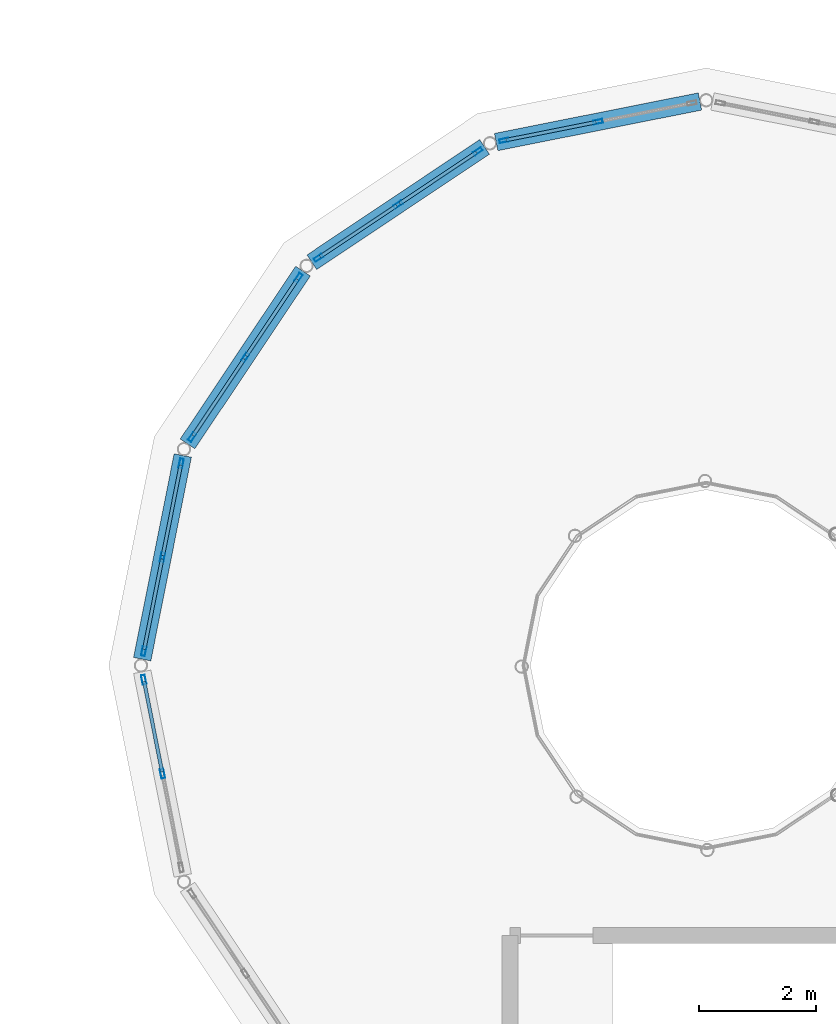
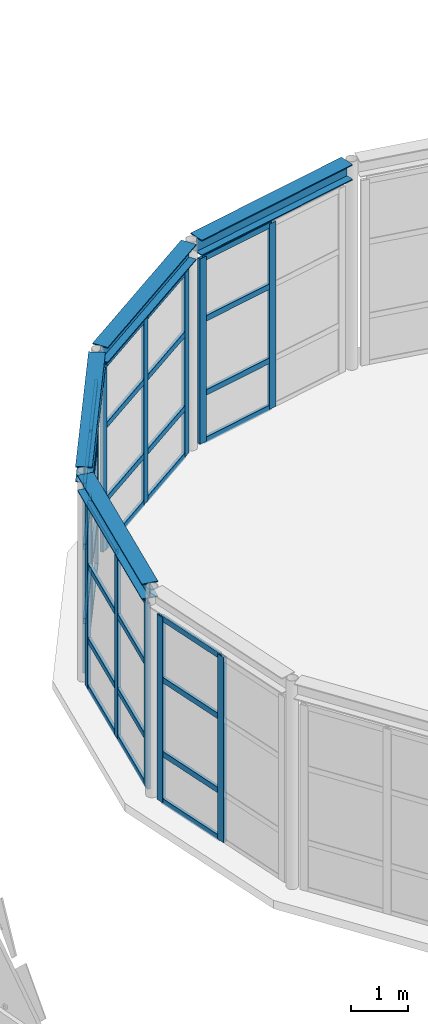
# One storey, part 28 of 80: 45 members, 4 beams, 5 elements without a shape of their own.
"""IFC4 building model written with IfcOpenShell, lengths in metres."""

from ifc_helpers import new_model, si_unit, direction, frame, origin, origin_2d, place, context, subcontext, project, spatial, hollow_rectangle, i_section, extrude, material, layer, layer_set, material_profile, profile_set, type_object, element, aggregate, save


model = new_model("IFC4")

# Units and contexts
model_context = context("Model", 3, precision=1e-05, world=origin(), true_north=direction((0.0, 1.0)))
body_context = subcontext(model_context, "Body", "Model", "MODEL_VIEW")
ifc_project = project(units=[si_unit("LENGTHUNIT", "METRE"), si_unit("AREAUNIT", "SQUARE_METRE"), si_unit("VOLUMEUNIT", "CUBIC_METRE"), si_unit("PLANEANGLEUNIT", "RADIAN"), si_unit("MASSUNIT", "GRAM", prefix="KILO")], contexts=[model_context])

# Site, building, storey
site_placement = place(None, origin())
site = spatial("IfcSite", under=ifc_project, at=site_placement, CompositionType="ELEMENT")
building_placement = place(site_placement, origin())
building = spatial("IfcBuilding", under=site, at=building_placement, Name="Kharisveld Research Institute", CompositionType="ELEMENT")
storey_placement = place(building_placement, frame((0.0, 0.0, 5.10009765625)))
storey = spatial("IfcBuildingStorey", under=building, at=storey_placement, Name="L01", CompositionType="ELEMENT", Elevation=5.10009765625)

# Beams
ifc_material_1 = material(Name="Steel S355JR", Category="steel")
ifc_material_profile_1 = material_profile(ifc_material_1, i_section(OverallWidth=0.300048828125, OverallDepth=0.340087890625, WebThickness=0.011962890625, FlangeThickness=0.021484375, at=origin_2d()))
ifc_profile_set_1 = profile_set([ifc_material_profile_1], Name="Steel S355JR")
beam_type = type_object("IfcBeamType", Name="BM_ST_HEA300", PredefinedType="BEAM", material=ifc_profile_set_1)
for number, where, z_axis, x_axis, name in (
    (1, (59.392578125, 60.4287109375, 4.329833984375), (-0.980781401852, -0.195109819798, 0.0), (0.195109819798, -0.980781401852, 0.0), "BM:V6:L01:RING04"),
    (2, (55.716064453125, 59.654541015625, 4.329833984375), (-0.831456681365, -0.555589585047, 0.0), (0.555589585047, -0.831456681365, 0.0), "BM:V6:L01:RING05"),
    (3, (52.615478515625, 57.532470703125, 4.329833984375), (-0.555541987483, -0.831488484673, 0.0), (0.831488484673, -0.555541987483, 0.0), "BM:V6:L01:RING06"),
    (4, (50.563232421875, 54.385498046875, 4.329833984375), (-0.195109819798, -0.980781401852, 0.0), (0.980781401852, -0.195109819798, 0.0), "BM:V6:L01:RING07"),
):
    element("IfcBeam", number, at=place(storey_placement, frame(where, z_axis=z_axis, x_axis=x_axis)), inside=storey, type_object=beam_type, Name=name, PredefinedType="BEAM", context=body_context, shape_type="SweptSolid", body=[
        extrude(i_section(OverallWidth=0.300048828125, OverallDepth=0.340087890625, WebThickness=0.011962890625, FlangeThickness=0.021484375, at=origin_2d()), origin(), (0.0, 0.0, 1.0), 3.546142578125),
    ])

# Curtain wall, members
ifc_material_2 = material(Name="Thermally Broken Aluminium Curtain Wall", Category="aluminium")
ifc_layer_1 = layer(ifc_material_2, 0.159912109375)
ifc_layer_set_1 = layer_set([ifc_layer_1], Name="CW_SYS_05")
curtain_wall_type_1 = type_object("IfcCurtainWallType", Name="CW_SYS_05", PredefinedType="NOTDEFINED", material=ifc_layer_set_1)
curtain_wall_1_placement = place(storey_placement, origin())
curtain_wall_1 = element("IfcCurtainWall", 5, at=curtain_wall_1_placement, inside=storey, type_object=curtain_wall_type_1, Name="CW:V6:L01:CHORD04", PredefinedType="NOTDEFINED")
ifc_material_3 = material(Name="Anodised Aluminium AW-6063-T6", Category="aluminium")
ifc_material_profile_2 = material_profile(ifc_material_3, hollow_rectangle(XDim=0.06494140625, YDim=0.159912109375, WallThickness=0.00390625, at=origin_2d()))
ifc_profile_set_2 = profile_set([ifc_material_profile_2], Name="Anodised Aluminium AW-6063-T6")
member_type_1 = type_object("IfcMemberType", Name="CW_MUL_160", PredefinedType="MULLION", material=ifc_profile_set_2)
member_1_placement = place(storey_placement, frame((56.0498046875, 59.763671875, 0.0), z_axis=(0.0, 0.0, 1.0), x_axis=(-0.195090730724, 0.980785199106, 0.0)))
member_1 = element("IfcMember", 6, at=member_1_placement, type_object=member_type_1, Name="CW-05 mullion 1", PredefinedType="MULLION", context=body_context, shape_type="SweptSolid", body=[
    extrude(hollow_rectangle(XDim=0.06494140625, YDim=0.159912109375, WallThickness=0.00390625, at=origin_2d()), origin(), (0.0, 0.0, 1.0), 4.0),
])
member_2_placement = place(storey_placement, frame((57.653564453125, 60.082763671875, 0.0), z_axis=(0.0, 0.0, 1.0), x_axis=(-0.195090730724, 0.980785199106, 0.0)))
member_2 = element("IfcMember", 7, at=member_2_placement, type_object=member_type_1, Name="CW-05 mullion 2", PredefinedType="MULLION", context=body_context, shape_type="SweptSolid", body=[
    extrude(hollow_rectangle(XDim=0.06494140625, YDim=0.159912109375, WallThickness=0.00390625, at=origin_2d()), origin(), (0.0, 0.0, 1.0), 4.0),
])

ifc_material_4 = material(Name="Thermally Broken Aluminium Curtain Wall", Category="aluminium")
ifc_layer_2 = layer(ifc_material_4, 0.159912109375)
ifc_layer_set_2 = layer_set([ifc_layer_2], Name="CW_SYS_06")
curtain_wall_type_2 = type_object("IfcCurtainWallType", Name="CW_SYS_06", PredefinedType="NOTDEFINED", material=ifc_layer_set_2)
curtain_wall_2_placement = place(storey_placement, origin())
curtain_wall_2 = element("IfcCurtainWall", 8, at=curtain_wall_2_placement, inside=storey, type_object=curtain_wall_type_2, Name="CW:V6:L01:CHORD05", PredefinedType="NOTDEFINED")
member_3_placement = place(storey_placement, frame((52.88232421875, 57.760986328125, 0.0), z_axis=(0.0, 0.0, 1.0), x_axis=(-0.555570109828, 0.831469694616, 0.0)))
member_3 = element("IfcMember", 9, at=member_3_placement, type_object=member_type_1, Name="CW-06 mullion 1", PredefinedType="MULLION", context=body_context, shape_type="SweptSolid", body=[
    extrude(hollow_rectangle(XDim=0.06494140625, YDim=0.159912109375, WallThickness=0.00390625, at=origin_2d()), origin(), (0.0, 0.0, 1.0), 4.0),
])
member_4_placement = place(storey_placement, frame((54.24169921875, 58.66943359375, 0.0), z_axis=(0.0, 0.0, 1.0), x_axis=(-0.555570109828, 0.831469694616, 0.0)))
member_4 = element("IfcMember", 10, at=member_4_placement, type_object=member_type_1, Name="CW-06 mullion 2", PredefinedType="MULLION", context=body_context, shape_type="SweptSolid", body=[
    extrude(hollow_rectangle(XDim=0.06494140625, YDim=0.159912109375, WallThickness=0.00390625, at=origin_2d()), origin(), (0.0, 0.0, 1.0), 4.0),
])
member_5_placement = place(storey_placement, frame((55.601318359375, 59.577880859375, 0.0), z_axis=(0.0, 0.0, 1.0), x_axis=(-0.555570109828, 0.831469694616, 0.0)))
member_5 = element("IfcMember", 11, at=member_5_placement, type_object=member_type_1, Name="CW-06 mullion 3", PredefinedType="MULLION", context=body_context, shape_type="SweptSolid", body=[
    extrude(hollow_rectangle(XDim=0.06494140625, YDim=0.159912109375, WallThickness=0.00390625, at=origin_2d()), origin(), (0.0, 0.0, 1.0), 4.0),
])

ifc_material_5 = material(Name="Thermally Broken Aluminium Curtain Wall", Category="aluminium")
ifc_layer_3 = layer(ifc_material_5, 0.159912109375)
ifc_layer_set_3 = layer_set([ifc_layer_3], Name="CW_SYS_01")
curtain_wall_type_3 = type_object("IfcCurtainWallType", Name="CW_SYS_01", PredefinedType="NOTDEFINED", material=ifc_layer_set_3)
curtain_wall_3_placement = place(storey_placement, origin())
curtain_wall_3 = element("IfcCurtainWall", 12, at=curtain_wall_3_placement, inside=storey, type_object=curtain_wall_type_3, Name="CW:V6:L01:CHORD06", PredefinedType="NOTDEFINED")
member_6_placement = place(storey_placement, frame((50.72216796875, 54.69873046875, 0.0), z_axis=(0.0, 0.0, 1.0), x_axis=(-0.831469694616, 0.555570109828, 0.0)))
member_6 = element("IfcMember", 13, at=member_6_placement, type_object=member_type_1, Name="CW-01 mullion 1", PredefinedType="MULLION", context=body_context, shape_type="SweptSolid", body=[
    extrude(hollow_rectangle(XDim=0.06494140625, YDim=0.159912109375, WallThickness=0.00390625, at=origin_2d()), origin(), (0.0, 0.0, 1.0), 4.0),
])
member_7_placement = place(storey_placement, frame((51.63037109375, 56.058349609375, 0.0), z_axis=(0.0, 0.0, 1.0), x_axis=(-0.831469694616, 0.555570109828, 0.0)))
member_7 = element("IfcMember", 14, at=member_7_placement, type_object=member_type_1, Name="CW-01 mullion 2", PredefinedType="MULLION", context=body_context, shape_type="SweptSolid", body=[
    extrude(hollow_rectangle(XDim=0.06494140625, YDim=0.159912109375, WallThickness=0.00390625, at=origin_2d()), origin(), (0.0, 0.0, 1.0), 4.0),
])
member_8_placement = place(storey_placement, frame((52.538818359375, 57.417724609375, 0.0), z_axis=(0.0, 0.0, 1.0), x_axis=(-0.831469694616, 0.555570109828, 0.0)))
member_8 = element("IfcMember", 15, at=member_8_placement, type_object=member_type_1, Name="CW-01 mullion 3", PredefinedType="MULLION", context=body_context, shape_type="SweptSolid", body=[
    extrude(hollow_rectangle(XDim=0.06494140625, YDim=0.159912109375, WallThickness=0.00390625, at=origin_2d()), origin(), (0.0, 0.0, 1.0), 4.0),
])

ifc_material_6 = material(Name="Thermally Broken Aluminium Curtain Wall", Category="aluminium")
ifc_layer_4 = layer(ifc_material_6, 0.159912109375)
ifc_layer_set_4 = layer_set([ifc_layer_4], Name="CW_SYS_02")
curtain_wall_type_4 = type_object("IfcCurtainWallType", Name="CW_SYS_02", PredefinedType="NOTDEFINED", material=ifc_layer_set_4)
curtain_wall_4_placement = place(storey_placement, origin())
curtain_wall_4 = element("IfcCurtainWall", 16, at=curtain_wall_4_placement, inside=storey, type_object=curtain_wall_type_4, Name="CW:V6:L01:CHORD07", PredefinedType="NOTDEFINED")
member_9_placement = place(storey_placement, frame((49.898193359375, 51.042724609375, 0.0), z_axis=(0.0, 0.0, 1.0), x_axis=(-0.980785199106, 0.195090730724, 0.0)))
member_9 = element("IfcMember", 17, at=member_9_placement, type_object=member_type_1, Name="CW-02 mullion 1", PredefinedType="MULLION", context=body_context, shape_type="SweptSolid", body=[
    extrude(hollow_rectangle(XDim=0.06494140625, YDim=0.159912109375, WallThickness=0.00390625, at=origin_2d()), origin(), (0.0, 0.0, 1.0), 4.0),
])
member_10_placement = place(storey_placement, frame((50.21728515625, 52.646484375, 0.0), z_axis=(0.0, 0.0, 1.0), x_axis=(-0.980785199106, 0.195090730724, 0.0)))
member_10 = element("IfcMember", 18, at=member_10_placement, type_object=member_type_1, Name="CW-02 mullion 2", PredefinedType="MULLION", context=body_context, shape_type="SweptSolid", body=[
    extrude(hollow_rectangle(XDim=0.06494140625, YDim=0.159912109375, WallThickness=0.00390625, at=origin_2d()), origin(), (0.0, 0.0, 1.0), 4.0),
])
member_11_placement = place(storey_placement, frame((50.536376953125, 54.250244140625, 0.0), z_axis=(0.0, 0.0, 1.0), x_axis=(-0.980785199106, 0.195090730724, 0.0)))
member_11 = element("IfcMember", 19, at=member_11_placement, type_object=member_type_1, Name="CW-02 mullion 3", PredefinedType="MULLION", context=body_context, shape_type="SweptSolid", body=[
    extrude(hollow_rectangle(XDim=0.06494140625, YDim=0.159912109375, WallThickness=0.00390625, at=origin_2d()), origin(), (0.0, 0.0, 1.0), 4.0),
])

ifc_material_7 = material(Name="Thermally Broken Aluminium Curtain Wall", Category="aluminium")
ifc_layer_5 = layer(ifc_material_7, 0.159912109375)
ifc_layer_set_5 = layer_set([ifc_layer_5], Name="CW_SYS_03")
curtain_wall_type_5 = type_object("IfcCurtainWallType", Name="CW_SYS_03", PredefinedType="NOTDEFINED", material=ifc_layer_set_5)
curtain_wall_5_placement = place(storey_placement, origin())
curtain_wall_5 = element("IfcCurtainWall", 20, at=curtain_wall_5_placement, inside=storey, type_object=curtain_wall_type_5, Name="CW:V6:L01:CHORD08", PredefinedType="NOTDEFINED")
member_12_placement = place(storey_placement, frame((50.21728515625, 48.95361328125, 0.0), z_axis=(0.0, 0.0, 1.0), x_axis=(-0.980785199106, -0.195090730724, 0.0)))
member_12 = element("IfcMember", 21, at=member_12_placement, type_object=member_type_1, Name="CW-03 mullion 2", PredefinedType="MULLION", context=body_context, shape_type="SweptSolid", body=[
    extrude(hollow_rectangle(XDim=0.06494140625, YDim=0.159912109375, WallThickness=0.00390625, at=origin_2d()), origin(), (0.0, 0.0, 1.0), 4.0),
])
member_13_placement = place(storey_placement, frame((49.898193359375, 50.557373046875, 0.0), z_axis=(0.0, 0.0, 1.0), x_axis=(-0.980785199106, -0.195090730724, 0.0)))
member_13 = element("IfcMember", 22, at=member_13_placement, type_object=member_type_1, Name="CW-03 mullion 3", PredefinedType="MULLION", context=body_context, shape_type="SweptSolid", body=[
    extrude(hollow_rectangle(XDim=0.06494140625, YDim=0.159912109375, WallThickness=0.00390625, at=origin_2d()), origin(), (0.0, 0.0, 1.0), 4.0),
])

# Member
ifc_material_8 = material(Name="Anodised Aluminium AW-6063-T6", Category="aluminium")
ifc_material_profile_3 = material_profile(ifc_material_8, hollow_rectangle(XDim=0.06005859375, YDim=0.1201171875, WallThickness=0.00390625, at=origin_2d()))
ifc_profile_set_3 = profile_set([ifc_material_profile_3], Name="Anodised Aluminium AW-6063-T6")
member_type_2 = type_object("IfcMemberType", Name="CW_TRN_120", PredefinedType="USERDEFINED", material=ifc_profile_set_3)
member_14_placement = place(storey_placement, frame((56.081787109375, 59.77001953125, 0.02978515625), z_axis=(0.980771599816, 0.195159086375, 0.0), x_axis=(-0.195159086375, 0.980771599816, 0.0)))
member_14 = element("IfcMember", 23, at=member_14_placement, type_object=member_type_2, Name="CW-05 transom 1.1", ObjectType="TRANSOM", PredefinedType="USERDEFINED", context=body_context, shape_type="SweptSolid", body=[
    extrude(hollow_rectangle(XDim=0.06005859375, YDim=0.1201171875, WallThickness=0.00390625, at=origin_2d()), origin(), (0.0, 0.0, 1.0), 1.570068359375),
])

member_15_placement = place(storey_placement, frame((56.081787109375, 59.77001953125, 1.0498046875), z_axis=(0.980771599816, 0.195159086375, 0.0), x_axis=(-0.195159086375, 0.980771599816, 0.0)))
member_15 = element("IfcMember", 24, at=member_15_placement, type_object=member_type_2, Name="CW-05 transom 1.2", ObjectType="TRANSOM", PredefinedType="USERDEFINED", context=body_context, shape_type="SweptSolid", body=[
    extrude(hollow_rectangle(XDim=0.06005859375, YDim=0.1201171875, WallThickness=0.00390625, at=origin_2d()), origin(), (0.0, 0.0, 1.0), 1.570068359375),
])

member_16_placement = place(storey_placement, frame((56.081787109375, 59.77001953125, 2.64990234375), z_axis=(0.980771599816, 0.195159086375, 0.0), x_axis=(-0.195159086375, 0.980771599816, 0.0)))
member_16 = element("IfcMember", 25, at=member_16_placement, type_object=member_type_2, Name="CW-05 transom 1.3", ObjectType="TRANSOM", PredefinedType="USERDEFINED", context=body_context, shape_type="SweptSolid", body=[
    extrude(hollow_rectangle(XDim=0.06005859375, YDim=0.1201171875, WallThickness=0.00390625, at=origin_2d()), origin(), (0.0, 0.0, 1.0), 1.570068359375),
])

member_17_placement = place(storey_placement, frame((56.081787109375, 59.77001953125, 3.969970703125), z_axis=(0.980771599816, 0.195159086375, 0.0), x_axis=(-0.195159086375, 0.980771599816, 0.0)))
member_17 = element("IfcMember", 26, at=member_17_placement, type_object=member_type_2, Name="CW-05 transom 1.4", ObjectType="TRANSOM", PredefinedType="USERDEFINED", context=body_context, shape_type="SweptSolid", body=[
    extrude(hollow_rectangle(XDim=0.06005859375, YDim=0.1201171875, WallThickness=0.00390625, at=origin_2d()), origin(), (0.0, 0.0, 1.0), 1.570068359375),
])

aggregate(curtain_wall_1, [member_1, member_2, member_14, member_15, member_16, member_17])

member_18_placement = place(storey_placement, frame((52.9091796875, 57.779052734375, 0.02978515625), z_axis=(0.831499729939, 0.555525156147, 0.0), x_axis=(-0.555525156147, 0.831499729939, 0.0)))
member_18 = element("IfcMember", 27, at=member_18_placement, type_object=member_type_2, Name="CW-06 transom 1.1", ObjectType="TRANSOM", PredefinedType="USERDEFINED", context=body_context, shape_type="SweptSolid", body=[
    extrude(hollow_rectangle(XDim=0.06005859375, YDim=0.1201171875, WallThickness=0.00390625, at=origin_2d()), origin(), (0.0, 0.0, 1.0), 1.5703125),
])

member_19_placement = place(storey_placement, frame((52.9091796875, 57.779052734375, 1.0498046875), z_axis=(0.831499729939, 0.555525156147, 0.0), x_axis=(-0.555525156147, 0.831499729939, 0.0)))
member_19 = element("IfcMember", 28, at=member_19_placement, type_object=member_type_2, Name="CW-06 transom 1.2", ObjectType="TRANSOM", PredefinedType="USERDEFINED", context=body_context, shape_type="SweptSolid", body=[
    extrude(hollow_rectangle(XDim=0.06005859375, YDim=0.1201171875, WallThickness=0.00390625, at=origin_2d()), origin(), (0.0, 0.0, 1.0), 1.5703125),
])

member_20_placement = place(storey_placement, frame((52.9091796875, 57.779052734375, 2.64990234375), z_axis=(0.831499729939, 0.555525156147, 0.0), x_axis=(-0.555525156147, 0.831499729939, 0.0)))
member_20 = element("IfcMember", 29, at=member_20_placement, type_object=member_type_2, Name="CW-06 transom 1.3", ObjectType="TRANSOM", PredefinedType="USERDEFINED", context=body_context, shape_type="SweptSolid", body=[
    extrude(hollow_rectangle(XDim=0.06005859375, YDim=0.1201171875, WallThickness=0.00390625, at=origin_2d()), origin(), (0.0, 0.0, 1.0), 1.5703125),
])

member_21_placement = place(storey_placement, frame((52.9091796875, 57.779052734375, 3.969970703125), z_axis=(0.831499729939, 0.555525156147, 0.0), x_axis=(-0.555525156147, 0.831499729939, 0.0)))
member_21 = element("IfcMember", 30, at=member_21_placement, type_object=member_type_2, Name="CW-06 transom 1.4", ObjectType="TRANSOM", PredefinedType="USERDEFINED", context=body_context, shape_type="SweptSolid", body=[
    extrude(hollow_rectangle(XDim=0.06005859375, YDim=0.1201171875, WallThickness=0.00390625, at=origin_2d()), origin(), (0.0, 0.0, 1.0), 1.5703125),
])

member_22_placement = place(storey_placement, frame((54.268798828125, 58.6875, 0.02978515625), z_axis=(0.831451738652, 0.555596981897, 0.0), x_axis=(-0.555596981897, 0.831451738652, 0.0)))
member_22 = element("IfcMember", 31, at=member_22_placement, type_object=member_type_2, Name="CW-06 transom 2.1", ObjectType="TRANSOM", PredefinedType="USERDEFINED", context=body_context, shape_type="SweptSolid", body=[
    extrude(hollow_rectangle(XDim=0.06005859375, YDim=0.1201171875, WallThickness=0.00390625, at=origin_2d()), origin(), (0.0, 0.0, 1.0), 1.570068359375),
])

member_23_placement = place(storey_placement, frame((54.268798828125, 58.6875, 1.0498046875), z_axis=(0.831451738652, 0.555596981897, 0.0), x_axis=(-0.555596981897, 0.831451738652, 0.0)))
member_23 = element("IfcMember", 32, at=member_23_placement, type_object=member_type_2, Name="CW-06 transom 2.2", ObjectType="TRANSOM", PredefinedType="USERDEFINED", context=body_context, shape_type="SweptSolid", body=[
    extrude(hollow_rectangle(XDim=0.06005859375, YDim=0.1201171875, WallThickness=0.00390625, at=origin_2d()), origin(), (0.0, 0.0, 1.0), 1.570068359375),
])

member_24_placement = place(storey_placement, frame((54.268798828125, 58.6875, 2.64990234375), z_axis=(0.831451738652, 0.555596981897, 0.0), x_axis=(-0.555596981897, 0.831451738652, 0.0)))
member_24 = element("IfcMember", 33, at=member_24_placement, type_object=member_type_2, Name="CW-06 transom 2.3", ObjectType="TRANSOM", PredefinedType="USERDEFINED", context=body_context, shape_type="SweptSolid", body=[
    extrude(hollow_rectangle(XDim=0.06005859375, YDim=0.1201171875, WallThickness=0.00390625, at=origin_2d()), origin(), (0.0, 0.0, 1.0), 1.570068359375),
])

member_25_placement = place(storey_placement, frame((54.268798828125, 58.6875, 3.969970703125), z_axis=(0.831451738652, 0.555596981897, 0.0), x_axis=(-0.555596981897, 0.831451738652, 0.0)))
member_25 = element("IfcMember", 34, at=member_25_placement, type_object=member_type_2, Name="CW-06 transom 2.4", ObjectType="TRANSOM", PredefinedType="USERDEFINED", context=body_context, shape_type="SweptSolid", body=[
    extrude(hollow_rectangle(XDim=0.06005859375, YDim=0.1201171875, WallThickness=0.00390625, at=origin_2d()), origin(), (0.0, 0.0, 1.0), 1.570068359375),
])

aggregate(curtain_wall_2, [member_3, member_4, member_5, member_18, member_19, member_20, member_21, member_22, member_23, member_24, member_25])

member_26_placement = place(storey_placement, frame((50.740234375, 54.7255859375, 0.02978515625), z_axis=(0.555525156147, 0.831499729939, 0.0), x_axis=(-0.831499729939, 0.555525156147, 0.0)))
member_26 = element("IfcMember", 35, at=member_26_placement, type_object=member_type_2, Name="CW-01 transom 1.1", ObjectType="TRANSOM", PredefinedType="USERDEFINED", context=body_context, shape_type="SweptSolid", body=[
    extrude(hollow_rectangle(XDim=0.06005859375, YDim=0.1201171875, WallThickness=0.00390625, at=origin_2d()), origin(), (0.0, 0.0, 1.0), 1.5703125),
])

member_27_placement = place(storey_placement, frame((50.740234375, 54.7255859375, 1.0498046875), z_axis=(0.555525156147, 0.831499729939, 0.0), x_axis=(-0.831499729939, 0.555525156147, 0.0)))
member_27 = element("IfcMember", 36, at=member_27_placement, type_object=member_type_2, Name="CW-01 transom 1.2", ObjectType="TRANSOM", PredefinedType="USERDEFINED", context=body_context, shape_type="SweptSolid", body=[
    extrude(hollow_rectangle(XDim=0.06005859375, YDim=0.1201171875, WallThickness=0.00390625, at=origin_2d()), origin(), (0.0, 0.0, 1.0), 1.5703125),
])

member_28_placement = place(storey_placement, frame((50.740234375, 54.7255859375, 2.64990234375), z_axis=(0.555525156147, 0.831499729939, 0.0), x_axis=(-0.831499729939, 0.555525156147, 0.0)))
member_28 = element("IfcMember", 37, at=member_28_placement, type_object=member_type_2, Name="CW-01 transom 1.3", ObjectType="TRANSOM", PredefinedType="USERDEFINED", context=body_context, shape_type="SweptSolid", body=[
    extrude(hollow_rectangle(XDim=0.06005859375, YDim=0.1201171875, WallThickness=0.00390625, at=origin_2d()), origin(), (0.0, 0.0, 1.0), 1.5703125),
])

member_29_placement = place(storey_placement, frame((50.740234375, 54.7255859375, 3.969970703125), z_axis=(0.555525156147, 0.831499729939, 0.0), x_axis=(-0.831499729939, 0.555525156147, 0.0)))
member_29 = element("IfcMember", 38, at=member_29_placement, type_object=member_type_2, Name="CW-01 transom 1.4", ObjectType="TRANSOM", PredefinedType="USERDEFINED", context=body_context, shape_type="SweptSolid", body=[
    extrude(hollow_rectangle(XDim=0.06005859375, YDim=0.1201171875, WallThickness=0.00390625, at=origin_2d()), origin(), (0.0, 0.0, 1.0), 1.5703125),
])

member_30_placement = place(storey_placement, frame((51.6484375, 56.085205078125, 0.02978515625), z_axis=(0.555525156147, 0.831499729939, 0.0), x_axis=(-0.831499729939, 0.555525156147, 0.0)))
member_30 = element("IfcMember", 39, at=member_30_placement, type_object=member_type_2, Name="CW-01 transom 2.1", ObjectType="TRANSOM", PredefinedType="USERDEFINED", context=body_context, shape_type="SweptSolid", body=[
    extrude(hollow_rectangle(XDim=0.06005859375, YDim=0.1201171875, WallThickness=0.00390625, at=origin_2d()), origin(), (0.0, 0.0, 1.0), 1.5703125),
])

member_31_placement = place(storey_placement, frame((51.6484375, 56.085205078125, 1.0498046875), z_axis=(0.555525156147, 0.831499729939, 0.0), x_axis=(-0.831499729939, 0.555525156147, 0.0)))
member_31 = element("IfcMember", 40, at=member_31_placement, type_object=member_type_2, Name="CW-01 transom 2.2", ObjectType="TRANSOM", PredefinedType="USERDEFINED", context=body_context, shape_type="SweptSolid", body=[
    extrude(hollow_rectangle(XDim=0.06005859375, YDim=0.1201171875, WallThickness=0.00390625, at=origin_2d()), origin(), (0.0, 0.0, 1.0), 1.5703125),
])

member_32_placement = place(storey_placement, frame((51.6484375, 56.085205078125, 2.64990234375), z_axis=(0.555525156147, 0.831499729939, 0.0), x_axis=(-0.831499729939, 0.555525156147, 0.0)))
member_32 = element("IfcMember", 41, at=member_32_placement, type_object=member_type_2, Name="CW-01 transom 2.3", ObjectType="TRANSOM", PredefinedType="USERDEFINED", context=body_context, shape_type="SweptSolid", body=[
    extrude(hollow_rectangle(XDim=0.06005859375, YDim=0.1201171875, WallThickness=0.00390625, at=origin_2d()), origin(), (0.0, 0.0, 1.0), 1.5703125),
])

member_33_placement = place(storey_placement, frame((51.6484375, 56.085205078125, 3.969970703125), z_axis=(0.555525156147, 0.831499729939, 0.0), x_axis=(-0.831499729939, 0.555525156147, 0.0)))
member_33 = element("IfcMember", 42, at=member_33_placement, type_object=member_type_2, Name="CW-01 transom 2.4", ObjectType="TRANSOM", PredefinedType="USERDEFINED", context=body_context, shape_type="SweptSolid", body=[
    extrude(hollow_rectangle(XDim=0.06005859375, YDim=0.1201171875, WallThickness=0.00390625, at=origin_2d()), origin(), (0.0, 0.0, 1.0), 1.5703125),
])

aggregate(curtain_wall_3, [member_6, member_7, member_8, member_26, member_27, member_28, member_29, member_30, member_31, member_32, member_33])

member_34_placement = place(storey_placement, frame((49.904541015625, 51.07470703125, 0.02978515625), z_axis=(0.195159086375, 0.980771599816, 0.0), x_axis=(-0.980771599816, 0.195159086375, 0.0)))
member_34 = element("IfcMember", 43, at=member_34_placement, type_object=member_type_2, Name="CW-02 transom 1.1", ObjectType="TRANSOM", PredefinedType="USERDEFINED", context=body_context, shape_type="SweptSolid", body=[
    extrude(hollow_rectangle(XDim=0.06005859375, YDim=0.1201171875, WallThickness=0.00390625, at=origin_2d()), origin(), (0.0, 0.0, 1.0), 1.570068359375),
])

member_35_placement = place(storey_placement, frame((49.904541015625, 51.07470703125, 1.0498046875), z_axis=(0.195159086375, 0.980771599816, 0.0), x_axis=(-0.980771599816, 0.195159086375, 0.0)))
member_35 = element("IfcMember", 44, at=member_35_placement, type_object=member_type_2, Name="CW-02 transom 1.2", ObjectType="TRANSOM", PredefinedType="USERDEFINED", context=body_context, shape_type="SweptSolid", body=[
    extrude(hollow_rectangle(XDim=0.06005859375, YDim=0.1201171875, WallThickness=0.00390625, at=origin_2d()), origin(), (0.0, 0.0, 1.0), 1.570068359375),
])

member_36_placement = place(storey_placement, frame((49.904541015625, 51.07470703125, 2.64990234375), z_axis=(0.195159086375, 0.980771599816, 0.0), x_axis=(-0.980771599816, 0.195159086375, 0.0)))
member_36 = element("IfcMember", 45, at=member_36_placement, type_object=member_type_2, Name="CW-02 transom 1.3", ObjectType="TRANSOM", PredefinedType="USERDEFINED", context=body_context, shape_type="SweptSolid", body=[
    extrude(hollow_rectangle(XDim=0.06005859375, YDim=0.1201171875, WallThickness=0.00390625, at=origin_2d()), origin(), (0.0, 0.0, 1.0), 1.570068359375),
])

member_37_placement = place(storey_placement, frame((49.904541015625, 51.07470703125, 3.969970703125), z_axis=(0.195159086375, 0.980771599816, 0.0), x_axis=(-0.980771599816, 0.195159086375, 0.0)))
member_37 = element("IfcMember", 46, at=member_37_placement, type_object=member_type_2, Name="CW-02 transom 1.4", ObjectType="TRANSOM", PredefinedType="USERDEFINED", context=body_context, shape_type="SweptSolid", body=[
    extrude(hollow_rectangle(XDim=0.06005859375, YDim=0.1201171875, WallThickness=0.00390625, at=origin_2d()), origin(), (0.0, 0.0, 1.0), 1.570068359375),
])

member_38_placement = place(storey_placement, frame((50.2236328125, 52.67822265625, 0.02978515625), z_axis=(0.195129326111, 0.9807775212, 0.0), x_axis=(-0.9807775212, 0.195129326111, 0.0)))
member_38 = element("IfcMember", 47, at=member_38_placement, type_object=member_type_2, Name="CW-02 transom 2.1", ObjectType="TRANSOM", PredefinedType="USERDEFINED", context=body_context, shape_type="SweptSolid", body=[
    extrude(hollow_rectangle(XDim=0.06005859375, YDim=0.1201171875, WallThickness=0.00390625, at=origin_2d()), origin(), (0.0, 0.0, 1.0), 1.5703125),
])

member_39_placement = place(storey_placement, frame((50.2236328125, 52.67822265625, 1.0498046875), z_axis=(0.195129326111, 0.9807775212, 0.0), x_axis=(-0.9807775212, 0.195129326111, 0.0)))
member_39 = element("IfcMember", 48, at=member_39_placement, type_object=member_type_2, Name="CW-02 transom 2.2", ObjectType="TRANSOM", PredefinedType="USERDEFINED", context=body_context, shape_type="SweptSolid", body=[
    extrude(hollow_rectangle(XDim=0.06005859375, YDim=0.1201171875, WallThickness=0.00390625, at=origin_2d()), origin(), (0.0, 0.0, 1.0), 1.5703125),
])

member_40_placement = place(storey_placement, frame((50.2236328125, 52.67822265625, 2.64990234375), z_axis=(0.195129326111, 0.9807775212, 0.0), x_axis=(-0.9807775212, 0.195129326111, 0.0)))
member_40 = element("IfcMember", 49, at=member_40_placement, type_object=member_type_2, Name="CW-02 transom 2.3", ObjectType="TRANSOM", PredefinedType="USERDEFINED", context=body_context, shape_type="SweptSolid", body=[
    extrude(hollow_rectangle(XDim=0.06005859375, YDim=0.1201171875, WallThickness=0.00390625, at=origin_2d()), origin(), (0.0, 0.0, 1.0), 1.5703125),
])

member_41_placement = place(storey_placement, frame((50.2236328125, 52.67822265625, 3.969970703125), z_axis=(0.195129326111, 0.9807775212, 0.0), x_axis=(-0.9807775212, 0.195129326111, 0.0)))
member_41 = element("IfcMember", 50, at=member_41_placement, type_object=member_type_2, Name="CW-02 transom 2.4", ObjectType="TRANSOM", PredefinedType="USERDEFINED", context=body_context, shape_type="SweptSolid", body=[
    extrude(hollow_rectangle(XDim=0.06005859375, YDim=0.1201171875, WallThickness=0.00390625, at=origin_2d()), origin(), (0.0, 0.0, 1.0), 1.5703125),
])

aggregate(curtain_wall_4, [member_9, member_10, member_11, member_34, member_35, member_36, member_37, member_38, member_39, member_40, member_41])

member_42_placement = place(storey_placement, frame((50.2109375, 48.9853515625, 0.02978515625), z_axis=(-0.195129326111, 0.9807775212, 0.0), x_axis=(-0.9807775212, -0.195129326111, 0.0)))
member_42 = element("IfcMember", 51, at=member_42_placement, type_object=member_type_2, Name="CW-03 transom 2.1", ObjectType="TRANSOM", PredefinedType="USERDEFINED", context=body_context, shape_type="SweptSolid", body=[
    extrude(hollow_rectangle(XDim=0.06005859375, YDim=0.1201171875, WallThickness=0.00390625, at=origin_2d()), origin(), (0.0, 0.0, 1.0), 1.5703125),
])

member_43_placement = place(storey_placement, frame((50.2109375, 48.9853515625, 1.0498046875), z_axis=(-0.195129326111, 0.9807775212, 0.0), x_axis=(-0.9807775212, -0.195129326111, 0.0)))
member_43 = element("IfcMember", 52, at=member_43_placement, type_object=member_type_2, Name="CW-03 transom 2.2", ObjectType="TRANSOM", PredefinedType="USERDEFINED", context=body_context, shape_type="SweptSolid", body=[
    extrude(hollow_rectangle(XDim=0.06005859375, YDim=0.1201171875, WallThickness=0.00390625, at=origin_2d()), origin(), (0.0, 0.0, 1.0), 1.5703125),
])

member_44_placement = place(storey_placement, frame((50.2109375, 48.9853515625, 2.64990234375), z_axis=(-0.195129326111, 0.9807775212, 0.0), x_axis=(-0.9807775212, -0.195129326111, 0.0)))
member_44 = element("IfcMember", 53, at=member_44_placement, type_object=member_type_2, Name="CW-03 transom 2.3", ObjectType="TRANSOM", PredefinedType="USERDEFINED", context=body_context, shape_type="SweptSolid", body=[
    extrude(hollow_rectangle(XDim=0.06005859375, YDim=0.1201171875, WallThickness=0.00390625, at=origin_2d()), origin(), (0.0, 0.0, 1.0), 1.5703125),
])

member_45_placement = place(storey_placement, frame((50.2109375, 48.9853515625, 3.969970703125), z_axis=(-0.195129326111, 0.9807775212, 0.0), x_axis=(-0.9807775212, -0.195129326111, 0.0)))
member_45 = element("IfcMember", 54, at=member_45_placement, type_object=member_type_2, Name="CW-03 transom 2.4", ObjectType="TRANSOM", PredefinedType="USERDEFINED", context=body_context, shape_type="SweptSolid", body=[
    extrude(hollow_rectangle(XDim=0.06005859375, YDim=0.1201171875, WallThickness=0.00390625, at=origin_2d()), origin(), (0.0, 0.0, 1.0), 1.5703125),
])

aggregate(curtain_wall_5, [member_12, member_13, member_42, member_43, member_44, member_45])

save(model, "model.ifc")
